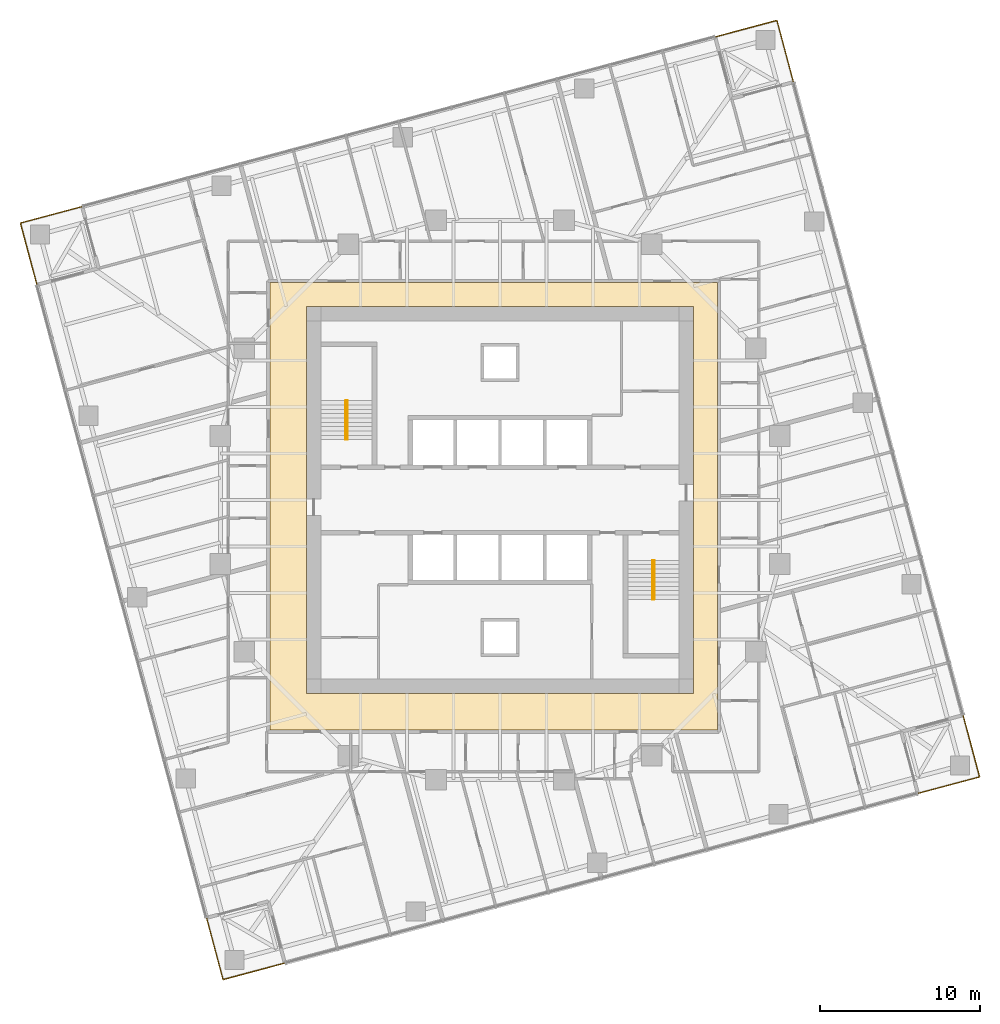
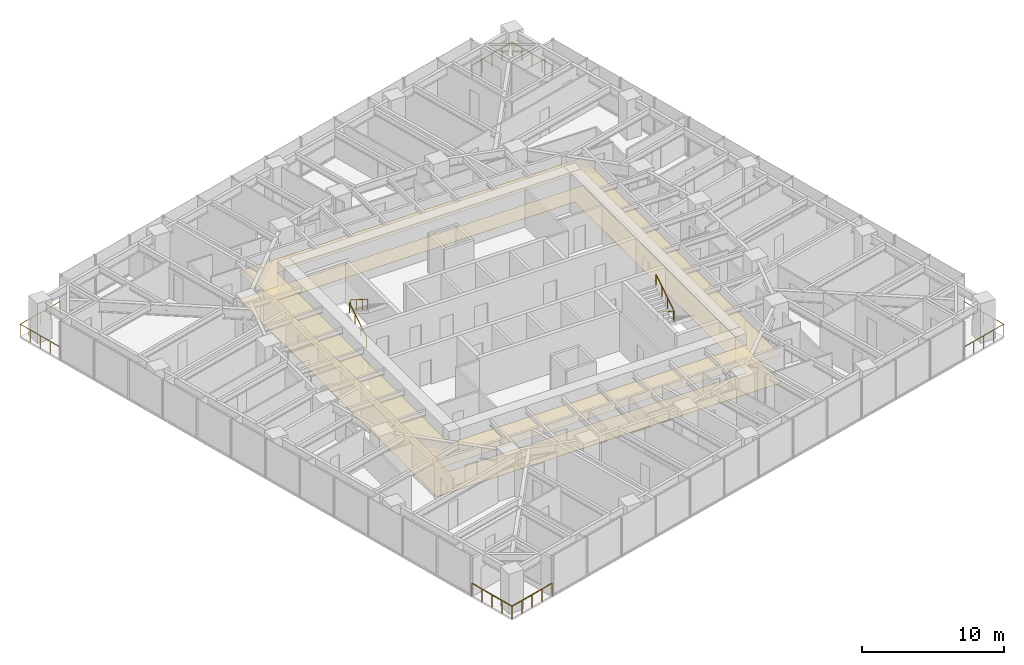
# One storey, part 14 of 14: 8 railings, 2 coverings, 2 elements without a shape of their own.
"""IFC4 building model written with IfcOpenShell, lengths in metres."""

import ifcopenshell
import ifcopenshell.guid

model = None  # the IFC model being written
_history = None  # IfcOwnerHistory: only IFC2X3 demands one
_inside = {}  # id of a spatial element -> (the spatial element, [elements in it])
_under = {}  # id of a project, library or spatial element -> (it, [spatial elements below it])
_declared = {}  # id of a project -> (the project, [libraries it declares])
_typed = {}  # id of a type object -> (the type object, [elements of that type])
_made_of = {}  # id of a material, layer set ... -> (it, [elements and type objects made of it])


def new_model(schema):
    """Start an empty IFC model of exactly this schema.

    Asked for "IFC4X3", IfcOpenShell would pick the latest addendum, in which some entities
    have other attributes; the version numbers below select the first issue.
    IFC2X3 requires an IfcOwnerHistory on every rooted entity: one is made here for all.
    """
    global model, _history
    if schema == "IFC4X3":
        model = ifcopenshell.file(schema_version=(4, 3, 0, 0))
    else:
        model = ifcopenshell.file(schema=schema)
    _inside.clear()
    _under.clear()
    _declared.clear()
    _typed.clear()
    _made_of.clear()
    _history = None
    if model.schema == "IFC2X3":
        org = make("IfcOrganization", Name="unknown")
        user = make(
            "IfcPersonAndOrganization",
            ThePerson=make("IfcPerson", FamilyName="unknown"),
            TheOrganization=org,
        )
        app = make(
            "IfcApplication",
            ApplicationDeveloper=org,
            Version="unknown",
            ApplicationFullName="unknown",
            ApplicationIdentifier="unknown",
        )
        _history = make(
            "IfcOwnerHistory",
            OwningUser=user,
            OwningApplication=app,
            ChangeAction="ADDED",
            CreationDate=0,
        )
    return model


def make(cls, **values):
    """One entity of the class cls with the attributes given. An attribute that is None is left unset."""
    return model.create_entity(
        cls, **{name: value for name, value in values.items() if value is not None}
    )


def rooted(cls, **values):
    """An entity with a GlobalId (a new one), such as an element, a storey or a relation."""
    return make(cls, GlobalId=ifcopenshell.guid.new(), OwnerHistory=_history, **values)


def si_unit(unit_type, name, prefix=None):
    """IfcSIUnit, for example si_unit("LENGTHUNIT", "METRE", prefix="MILLI")."""
    return make("IfcSIUnit", UnitType=unit_type, Prefix=prefix, Name=name)


def assignment(units):
    """IfcUnitAssignment: the units of a project."""
    return None if units is None else make("IfcUnitAssignment", Units=units)


def point(xyz):
    """IfcCartesianPoint."""
    return None if xyz is None else make("IfcCartesianPoint", Coordinates=xyz)


def direction(xyz):
    """IfcDirection."""
    return None if xyz is None else make("IfcDirection", DirectionRatios=xyz)


def frame(location, z_axis=None, x_axis=None):
    """IfcAxis2Placement3D, a coordinate frame: its origin and axes. An axis left out is left unset."""
    return make(
        "IfcAxis2Placement3D",
        Location=point(location),
        Axis=direction(z_axis),
        RefDirection=direction(x_axis),
    )


def frame_2d(location, x_axis=None):
    """IfcAxis2Placement2D, a coordinate frame in the plane: its origin and x axis."""
    return make(
        "IfcAxis2Placement2D", Location=point(location), RefDirection=direction(x_axis)
    )


def origin():
    """The frame at (0, 0, 0) with its axes left unset."""
    return frame((0.0, 0.0, 0.0))


def origin_2d():
    """The frame at (0, 0) in the plane with its x axis left unset."""
    return frame_2d((0.0, 0.0))


def place(relative_to, where):
    """IfcLocalPlacement: puts the frame where relative to a parent placement (None: the world)."""
    return make(
        "IfcLocalPlacement", PlacementRelTo=relative_to, RelativePlacement=where
    )


def context(
    kind, dimensions, precision=None, world=None, true_north=None, identifier=None
):
    """IfcGeometricRepresentationContext, for example the 3D "Model" context."""
    return make(
        "IfcGeometricRepresentationContext",
        ContextIdentifier=identifier,
        ContextType=kind,
        CoordinateSpaceDimension=dimensions,
        Precision=precision,
        WorldCoordinateSystem=world,
        TrueNorth=true_north,
    )


def subcontext(parent, identifier, kind, view, scale=None):
    """IfcGeometricRepresentationSubContext, for example "Body" below "Model"."""
    return make(
        "IfcGeometricRepresentationSubContext",
        ContextIdentifier=identifier,
        ContextType=kind,
        ParentContext=parent,
        TargetScale=scale,
        TargetView=view,
    )


def project(units=None, contexts=None):
    """IfcProject with its units and contexts."""
    return rooted(
        "IfcProject",
        Name="project",
        RepresentationContexts=contexts,
        UnitsInContext=assignment(units),
    )


def spatial(cls, under=None, at=None, **own):
    """A site, building, storey or space (cls), placed at a placement, below another one or the project."""
    s = rooted(cls, ObjectPlacement=at, **own)
    if under is not None:
        _under.setdefault(under.id(), (under, []))[1].append(s)
    return s


def polyline(points):
    """IfcPolyline through the points."""
    return make("IfcPolyline", Points=[point(p) for p in points])


def profile(cls, at=None, kind="AREA", **sizes):
    """A parametric profile (cls). Its sizes go by their IFC names, for example OverallWidth=200.0."""
    return make(cls, ProfileType=kind, Position=at, **sizes)


def circle(**sizes):
    """IfcCircleProfileDef."""
    return profile("IfcCircleProfileDef", **sizes)


def outline(outer, holes=None, kind="AREA"):
    """IfcArbitraryClosedProfileDef: a profile drawn as a closed curve; with holes, ...WithVoids."""
    if holes is None:
        return make("IfcArbitraryClosedProfileDef", ProfileType=kind, OuterCurve=outer)
    return make(
        "IfcArbitraryProfileDefWithVoids",
        ProfileType=kind,
        OuterCurve=outer,
        InnerCurves=holes,
    )


def extrude(swept, where, along, depth):
    """IfcExtrudedAreaSolid: the profile swept, set in the frame where, extruded along a direction by depth."""
    return make(
        "IfcExtrudedAreaSolid",
        SweptArea=swept,
        Position=where,
        ExtrudedDirection=direction(along),
        Depth=depth,
    )


def shape(context_of_items, identifier, shape_type, items):
    """IfcShapeRepresentation: the items that make up one representation, for example the "Body"."""
    return make(
        "IfcShapeRepresentation",
        ContextOfItems=context_of_items,
        RepresentationIdentifier=identifier,
        RepresentationType=shape_type,
        Items=items,
    )


def material(Name=None, Category=None):
    """IfcMaterial."""
    return make("IfcMaterial", Name=Name, Category=Category)


def layer(
    of_material, thickness, ventilated=None, Name=None, Category=None, Priority=None
):
    """IfcMaterialLayer: one layer of a wall or slab, of a material (None: an air gap)."""
    return make(
        "IfcMaterialLayer",
        Material=of_material,
        LayerThickness=thickness,
        IsVentilated=ventilated,
        Name=Name,
        Category=Category,
        Priority=Priority,
    )


def layer_set(layers, Name=None):
    """IfcMaterialLayerSet."""
    return make("IfcMaterialLayerSet", MaterialLayers=layers, LayerSetName=Name)


def made_of(thing, what):
    """Note that an element or type object is made of a material, layer set ...; save() writes the relation."""
    if what is not None:
        _made_of.setdefault(what.id(), (what, []))[1].append(thing)
    return thing


def type_object(cls, material=None, **own):
    """A type object (cls), such as IfcWallType, which elements share."""
    return made_of(rooted(cls, **own), material)


def element(
    cls,
    number,
    at=None,
    inside=None,
    cuts=None,
    type_object=None,
    material=None,
    context=None,
    identifier="Body",
    shape_type=None,
    held_by="IfcProductDefinitionShape",
    body=None,
    shapes=None,
    **own,
):
    """One element of the class cls, such as IfcWall. Its Tag is "e" and its number.

    at: its placement. inside: the storey or other place that contains it. cuts: it is an
    opening in that element (IfcRelVoidsElement). A single representation is given by context,
    identifier, shape_type and body (its items); several are given by shapes. held_by: the class
    of the entity that holds the representations. save() writes the other relations.
    """
    e = rooted(cls, Tag="e%d" % number, ObjectPlacement=at, **own)
    if body is not None:
        shapes = [shape(context, identifier, shape_type, body)]
    if shapes is not None:
        e.Representation = make(held_by, Representations=shapes)
    if inside is not None:
        _inside.setdefault(inside.id(), (inside, []))[1].append(e)
    if cuts is not None:
        rooted(
            "IfcRelVoidsElement", RelatingBuildingElement=cuts, RelatedOpeningElement=e
        )
    if type_object is not None:
        _typed.setdefault(type_object.id(), (type_object, []))[1].append(e)
    return made_of(e, material)


def aggregate(whole, parts):
    """IfcRelAggregates: a whole, such as a stair, and the parts it consists of."""
    return rooted("IfcRelAggregates", RelatingObject=whole, RelatedObjects=parts)


def save(model, path):
    """Write the relations noted so far, then the file.

    IfcRelAggregates (storeys below a building ...), IfcRelContainedInSpatialStructure (elements
    in a storey), IfcRelDefinesByType, IfcRelAssociatesMaterial and IfcRelDeclares: one each for
    every whole, place, type object, material and project.
    """
    for whole, parts in _under.values():
        aggregate(whole, parts)
    for where, things in _inside.values():
        rooted(
            "IfcRelContainedInSpatialStructure",
            RelatedElements=things,
            RelatingStructure=where,
        )
    for kind, things in _typed.values():
        rooted("IfcRelDefinesByType", RelatedObjects=things, RelatingType=kind)
    for what, things in _made_of.values():
        rooted("IfcRelAssociatesMaterial", RelatedObjects=things, RelatingMaterial=what)
    for by, libraries in _declared.values():
        rooted("IfcRelDeclares", RelatingContext=by, RelatedDefinitions=libraries)
    model.write(path)


model = new_model("IFC4")

# Units and contexts
model_context = context("Model", 3, precision=1e-05, world=origin(), true_north=direction((0.0, 1.0)))
body_context = subcontext(model_context, "Body", "Model", "MODEL_VIEW")
ifc_project = project(units=[si_unit("LENGTHUNIT", "METRE"), si_unit("AREAUNIT", "SQUARE_METRE"), si_unit("VOLUMEUNIT", "CUBIC_METRE"), si_unit("PLANEANGLEUNIT", "RADIAN"), si_unit("MASSUNIT", "GRAM", prefix="KILO")], contexts=[model_context])

# Site, building, storey
site_placement = place(None, origin())
site = spatial("IfcSite", under=ifc_project, at=site_placement, CompositionType="ELEMENT")
building_placement = place(site_placement, origin())
building = spatial("IfcBuilding", under=site, at=building_placement, Name="Torsade Residences", CompositionType="ELEMENT")
storey_placement = place(building_placement, frame((0.0, 0.0, 125.199951171875)))
storey = spatial("IfcBuildingStorey", under=building, at=storey_placement, Name="L34", CompositionType="ELEMENT", Elevation=125.199951171875)

# Coverings
ifc_material_1 = material(Name="Nylon carpet tile on underlay", Category="textile")
ifc_layer_1 = layer(ifc_material_1, 0.010009765625)
ifc_layer_set_1 = layer_set([ifc_layer_1], Name="Nylon carpet tile on underlay")
covering_type_1 = type_object("IfcCoveringType", Name="CORRIDOR CARPET TILE 10", PredefinedType="FLOORING", material=ifc_layer_set_1)
covering_1_placement = place(storey_placement, origin())
element("IfcCovering", 1, at=covering_1_placement, inside=storey, type_object=covering_type_1, Name="Corridor carpet L34", PredefinedType="FLOORING", context=body_context, shape_type="SweptSolid", body=[
    extrude(outline(polyline([(53.60009765625, 15.60009765625), (53.60009765625, 43.60009765625), (25.60009765625, 43.60009765625), (25.60009765625, 15.60009765625), (53.60009765625, 15.60009765625)]), holes=[polyline([(52.10009765625, 42.10009765625), (27.89990234375, 42.10009765625), (27.89990234375, 17.89990234375), (52.10009765625, 17.89990234375), (52.10009765625, 42.10009765625)])]), origin(), (0.0, 0.0, 1.0), 0.010009765625),
])
ifc_material_2 = material(Name="Plasterboard on suspended steel grid", Category="steel")
ifc_layer_2 = layer(ifc_material_2, 0.012939453125)
ifc_layer_set_2 = layer_set([ifc_layer_2], Name="Plasterboard on suspended steel grid")
covering_type_2 = type_object("IfcCoveringType", Name="CORRIDOR SUSPENDED CEILING 13", PredefinedType="CEILING", material=ifc_layer_set_2)
covering_2_placement = place(storey_placement, frame((0.0, 0.0, 2.400146484375)))
element("IfcCovering", 2, at=covering_2_placement, inside=storey, type_object=covering_type_2, Name="Corridor ceiling L34", PredefinedType="CEILING", context=body_context, shape_type="SweptSolid", body=[
    extrude(outline(polyline([(53.60009765625, 15.60009765625), (53.60009765625, 43.60009765625), (25.60009765625, 43.60009765625), (25.60009765625, 15.60009765625), (53.60009765625, 15.60009765625)]), holes=[polyline([(52.10009765625, 42.10009765625), (27.89990234375, 42.10009765625), (27.89990234375, 17.89990234375), (52.10009765625, 17.89990234375), (52.10009765625, 42.10009765625)])]), origin(), (0.0, 0.0, 1.0), 0.012939453125),
])

# Stair, railings
ifc_material_3 = material(Name="Precast concrete 40 MPa", Category="concrete")
stair_type = type_object("IfcStairType", Name="HALF-TURN FIRE STAIR 1500x3400", PredefinedType="HALF_TURN_STAIR", material=ifc_material_3)
stair_1_placement = place(storey_placement, origin())
stair_1 = element("IfcStair", 3, at=stair_1_placement, inside=storey, type_object=stair_type, Name="Stair ST1 L34", PredefinedType="HALF_TURN_STAIR")
ifc_material_4 = material(Name="Steel handrail", Category="steel")
railing_type_1 = type_object("IfcRailingType", Name="STAIR HANDRAIL 900", PredefinedType="HANDRAIL", material=ifc_material_4)
railing_1_placement = place(storey_placement, frame((30.35009765625, 33.780029296875, 0.170166015625)))
railing_1 = element("IfcRailing", 4, at=railing_1_placement, type_object=railing_type_1, Name="Handrail ST1 flight 1 L34", PredefinedType="HANDRAIL", context=body_context, shape_type="SweptSolid", body=[
    extrude(circle(Radius=0.02392578125, at=origin_2d()), frame((0.0, 0.0, 0.8759765625), z_axis=(0.0, 0.846259816676, 0.532770422113), x_axis=(-1.0, 0.0, 0.0)), (0.0, 0.0, 1.0), 2.871337890625),
    extrude(circle(Radius=0.02099609375, at=origin_2d()), origin(), (0.0, 0.0, 1.0), 0.851806640625),
    extrude(circle(Radius=0.02099609375, at=origin_2d()), frame((0.0, 0.81005859375, 0.510009765625)), (0.0, 0.0, 1.0), 0.851806640625),
    extrude(circle(Radius=0.02099609375, at=origin_2d()), frame((0.0, 1.619873046875, 1.019775390625)), (0.0, 0.0, 1.0), 0.851806640625),
    extrude(circle(Radius=0.02099609375, at=origin_2d()), frame((0.0, 2.429931640625, 1.52978515625)), (0.0, 0.0, 1.0), 0.851806640625),
])
railing_2_placement = place(storey_placement, frame((30.449951171875, 36.2099609375, 1.8701171875)))
railing_2 = element("IfcRailing", 5, at=railing_2_placement, type_object=railing_type_1, Name="Handrail ST1 flight 2 L34", PredefinedType="HANDRAIL", context=body_context, shape_type="SweptSolid", body=[
    extrude(circle(Radius=0.02392578125, at=origin_2d()), frame((0.0, 0.0, 0.8759765625), z_axis=(0.0, -0.846221481393, 0.532831309544), x_axis=(1.0, 0.0, 0.0)), (0.0, 0.0, 1.0), 2.87158203125),
    extrude(circle(Radius=0.02099609375, at=origin_2d()), origin(), (0.0, 0.0, 1.0), 0.851806640625),
    extrude(circle(Radius=0.02099609375, at=origin_2d()), frame((0.0, -0.81005859375, 0.510009765625)), (0.0, 0.0, 1.0), 0.851806640625),
    extrude(circle(Radius=0.02099609375, at=origin_2d()), frame((0.0, -1.619873046875, 1.02001953125)), (0.0, 0.0, 1.0), 0.851806640625),
    extrude(circle(Radius=0.02099609375, at=origin_2d()), frame((0.0, -2.429931640625, 1.530029296875)), (0.0, 0.0, 1.0), 0.851806640625),
])
aggregate(stair_1, [railing_1, railing_2])

stair_2_placement = place(storey_placement, origin())
stair_2 = element("IfcStair", 6, at=stair_2_placement, inside=storey, type_object=stair_type, Name="Stair ST2 L34", PredefinedType="HALF_TURN_STAIR")
railing_3_placement = place(storey_placement, frame((49.64990234375, 26.219970703125, 0.170166015625)))
railing_3 = element("IfcRailing", 7, at=railing_3_placement, type_object=railing_type_1, Name="Handrail ST2 flight 1 L34", PredefinedType="HANDRAIL", context=body_context, shape_type="SweptSolid", body=[
    extrude(circle(Radius=0.02392578125, at=origin_2d()), frame((0.0, 0.0, 0.8759765625), z_axis=(0.0, -0.846259816676, 0.532770422113), x_axis=(1.0, 0.0, 0.0)), (0.0, 0.0, 1.0), 2.871337890625),
    extrude(circle(Radius=0.02099609375, at=origin_2d()), origin(), (0.0, 0.0, 1.0), 0.851806640625),
    extrude(circle(Radius=0.02099609375, at=origin_2d()), frame((0.0, -0.81005859375, 0.510009765625)), (0.0, 0.0, 1.0), 0.851806640625),
    extrude(circle(Radius=0.02099609375, at=origin_2d()), frame((0.0, -1.619873046875, 1.019775390625)), (0.0, 0.0, 1.0), 0.851806640625),
    extrude(circle(Radius=0.02099609375, at=origin_2d()), frame((0.0, -2.429931640625, 1.52978515625)), (0.0, 0.0, 1.0), 0.851806640625),
])
railing_4_placement = place(storey_placement, frame((49.550048828125, 23.7900390625, 1.8701171875)))
railing_4 = element("IfcRailing", 8, at=railing_4_placement, type_object=railing_type_1, Name="Handrail ST2 flight 2 L34", PredefinedType="HANDRAIL", context=body_context, shape_type="SweptSolid", body=[
    extrude(circle(Radius=0.02392578125, at=origin_2d()), frame((0.0, 0.0, 0.8759765625), z_axis=(0.0, 0.846221481393, 0.532831309544), x_axis=(-1.0, 0.0, 0.0)), (0.0, 0.0, 1.0), 2.87158203125),
    extrude(circle(Radius=0.02099609375, at=origin_2d()), origin(), (0.0, 0.0, 1.0), 0.851806640625),
    extrude(circle(Radius=0.02099609375, at=origin_2d()), frame((0.0, 0.81005859375, 0.510009765625)), (0.0, 0.0, 1.0), 0.851806640625),
    extrude(circle(Radius=0.02099609375, at=origin_2d()), frame((0.0, 1.619873046875, 1.02001953125)), (0.0, 0.0, 1.0), 0.851806640625),
    extrude(circle(Radius=0.02099609375, at=origin_2d()), frame((0.0, 2.429931640625, 1.530029296875)), (0.0, 0.0, 1.0), 0.851806640625),
])
aggregate(stair_2, [railing_3, railing_4])

# Railings
ifc_material_5 = material(Name="Laminated glass balustrade", Category="glass")
railing_type_2 = type_object("IfcRailingType", Name="TERRACE GLASS BALUSTRADE 1100", PredefinedType="BALUSTRADE", material=ifc_material_5)
railing_5_placement = place(storey_placement, frame((66.142578125, 11.640625, 0.0)))
element("IfcRailing", 9, at=railing_5_placement, inside=storey, type_object=railing_type_2, Name="Terrace balustrade SE L34", PredefinedType="BALUSTRADE", context=body_context, shape_type="SweptSolid", body=[
    extrude(circle(Radius=0.02392578125, at=origin_2d()), frame((0.0, 0.0, 1.076171875), z_axis=(0.965934430412, 0.258786931944, 0.0), x_axis=(-0.258786931944, 0.965934430412, 0.0)), (0.0, 0.0, 1.0), 4.0),
    extrude(circle(Radius=0.02392578125, at=origin_2d()), frame((3.86376953125, 1.03515625, 1.076171875), z_axis=(-0.258843877716, 0.965919172068, 0.0), x_axis=(-0.965919172068, -0.258843877716, 0.0)), (0.0, 0.0, 1.0), 4.0),
    extrude(circle(Radius=0.02099609375, at=origin_2d()), origin(), (0.0, 0.0, 1.0), 1.052001953125),
    extrude(circle(Radius=0.02099609375, at=origin_2d()), frame((0.9658203125, 0.2587890625, 0.0)), (0.0, 0.0, 1.0), 1.052001953125),
    extrude(circle(Radius=0.02099609375, at=origin_2d()), frame((1.931884765625, 0.517578125, 0.0)), (0.0, 0.0, 1.0), 1.052001953125),
    extrude(circle(Radius=0.02099609375, at=origin_2d()), frame((2.89794921875, 0.7763671875, 0.0)), (0.0, 0.0, 1.0), 1.052001953125),
    extrude(circle(Radius=0.02099609375, at=origin_2d()), frame((3.86376953125, 1.03515625, 0.0)), (0.0, 0.0, 1.0), 1.052001953125),
    extrude(circle(Radius=0.02099609375, at=origin_2d()), frame((3.60498046875, 2.0009765625, 0.0)), (0.0, 0.0, 1.0), 1.052001953125),
    extrude(circle(Radius=0.02099609375, at=origin_2d()), frame((3.34619140625, 2.967041015625, 0.0)), (0.0, 0.0, 1.0), 1.052001953125),
    extrude(circle(Radius=0.02099609375, at=origin_2d()), frame((3.087158203125, 3.93310546875, 0.0)), (0.0, 0.0, 1.0), 1.052001953125),
    extrude(circle(Radius=0.02099609375, at=origin_2d()), frame((2.828369140625, 4.89892578125, 0.0)), (0.0, 0.0, 1.0), 1.052001953125),
])
railing_6_placement = place(storey_placement, frame((58.359375, 56.142578125, 0.0)))
element("IfcRailing", 10, at=railing_6_placement, inside=storey, type_object=railing_type_2, Name="Terrace balustrade NE L34", PredefinedType="BALUSTRADE", context=body_context, shape_type="SweptSolid", body=[
    extrude(circle(Radius=0.02392578125, at=origin_2d()), frame((0.0, 0.0, 1.076171875), z_axis=(-0.258786931944, 0.965934430412, 0.0), x_axis=(-0.965934430412, -0.258786931944, 0.0)), (0.0, 0.0, 1.0), 4.0),
    extrude(circle(Radius=0.02392578125, at=origin_2d()), frame((-1.03515625, 3.86376953125, 1.076171875), z_axis=(-0.965919172068, -0.258843877716, 0.0), x_axis=(0.258843877716, -0.965919172068, 0.0)), (0.0, 0.0, 1.0), 4.0),
    extrude(circle(Radius=0.02099609375, at=origin_2d()), origin(), (0.0, 0.0, 1.0), 1.052001953125),
    extrude(circle(Radius=0.02099609375, at=origin_2d()), frame((-0.2587890625, 0.9658203125, 0.0)), (0.0, 0.0, 1.0), 1.052001953125),
    extrude(circle(Radius=0.02099609375, at=origin_2d()), frame((-0.517578125, 1.931884765625, 0.0)), (0.0, 0.0, 1.0), 1.052001953125),
    extrude(circle(Radius=0.02099609375, at=origin_2d()), frame((-0.7763671875, 2.89794921875, 0.0)), (0.0, 0.0, 1.0), 1.052001953125),
    extrude(circle(Radius=0.02099609375, at=origin_2d()), frame((-1.03515625, 3.86376953125, 0.0)), (0.0, 0.0, 1.0), 1.052001953125),
    extrude(circle(Radius=0.02099609375, at=origin_2d()), frame((-2.0009765625, 3.60498046875, 0.0)), (0.0, 0.0, 1.0), 1.052001953125),
    extrude(circle(Radius=0.02099609375, at=origin_2d()), frame((-2.967041015625, 3.34619140625, 0.0)), (0.0, 0.0, 1.0), 1.052001953125),
    extrude(circle(Radius=0.02099609375, at=origin_2d()), frame((-3.93310546875, 3.087158203125, 0.0)), (0.0, 0.0, 1.0), 1.052001953125),
    extrude(circle(Radius=0.02099609375, at=origin_2d()), frame((-4.89892578125, 2.828369140625, 0.0)), (0.0, 0.0, 1.0), 1.052001953125),
])
railing_7_placement = place(storey_placement, frame((13.857421875, 48.359375, 0.0)))
element("IfcRailing", 11, at=railing_7_placement, inside=storey, type_object=railing_type_2, Name="Terrace balustrade NW L34", PredefinedType="BALUSTRADE", context=body_context, shape_type="SweptSolid", body=[
    extrude(circle(Radius=0.02392578125, at=origin_2d()), frame((0.0, 0.0, 1.076171875), z_axis=(-0.965934430412, -0.258786931944, 0.0), x_axis=(0.258786931944, -0.965934430412, 0.0)), (0.0, 0.0, 1.0), 4.0),
    extrude(circle(Radius=0.02392578125, at=origin_2d()), frame((-3.86376953125, -1.03515625, 1.076171875), z_axis=(0.258843877716, -0.965919172068, 0.0), x_axis=(0.965919172068, 0.258843877716, 0.0)), (0.0, 0.0, 1.0), 4.0),
    extrude(circle(Radius=0.02099609375, at=origin_2d()), origin(), (0.0, 0.0, 1.0), 1.052001953125),
    extrude(circle(Radius=0.02099609375, at=origin_2d()), frame((-0.9658203125, -0.2587890625, 0.0)), (0.0, 0.0, 1.0), 1.052001953125),
    extrude(circle(Radius=0.02099609375, at=origin_2d()), frame((-1.931884765625, -0.517578125, 0.0)), (0.0, 0.0, 1.0), 1.052001953125),
    extrude(circle(Radius=0.02099609375, at=origin_2d()), frame((-2.89794921875, -0.7763671875, 0.0)), (0.0, 0.0, 1.0), 1.052001953125),
    extrude(circle(Radius=0.02099609375, at=origin_2d()), frame((-3.86376953125, -1.03515625, 0.0)), (0.0, 0.0, 1.0), 1.052001953125),
    extrude(circle(Radius=0.02099609375, at=origin_2d()), frame((-3.60498046875, -2.0009765625, 0.0)), (0.0, 0.0, 1.0), 1.052001953125),
    extrude(circle(Radius=0.02099609375, at=origin_2d()), frame((-3.34619140625, -2.967041015625, 0.0)), (0.0, 0.0, 1.0), 1.052001953125),
    extrude(circle(Radius=0.02099609375, at=origin_2d()), frame((-3.087158203125, -3.93310546875, 0.0)), (0.0, 0.0, 1.0), 1.052001953125),
    extrude(circle(Radius=0.02099609375, at=origin_2d()), frame((-2.828369140625, -4.89892578125, 0.0)), (0.0, 0.0, 1.0), 1.052001953125),
])
railing_8_placement = place(storey_placement, frame((21.640625, 3.857421875, 0.0)))
element("IfcRailing", 12, at=railing_8_placement, inside=storey, type_object=railing_type_2, Name="Terrace balustrade SW L34", PredefinedType="BALUSTRADE", context=body_context, shape_type="SweptSolid", body=[
    extrude(circle(Radius=0.02392578125, at=origin_2d()), frame((0.0, 0.0, 1.076171875), z_axis=(0.258786931944, -0.965934430412, 0.0), x_axis=(0.965934430412, 0.258786931944, 0.0)), (0.0, 0.0, 1.0), 4.0),
    extrude(circle(Radius=0.02392578125, at=origin_2d()), frame((1.03515625, -3.86376953125, 1.076171875), z_axis=(0.965919172068, 0.258843877716, 0.0), x_axis=(-0.258843877716, 0.965919172068, 0.0)), (0.0, 0.0, 1.0), 4.0),
    extrude(circle(Radius=0.02099609375, at=origin_2d()), origin(), (0.0, 0.0, 1.0), 1.052001953125),
    extrude(circle(Radius=0.02099609375, at=origin_2d()), frame((0.2587890625, -0.9658203125, 0.0)), (0.0, 0.0, 1.0), 1.052001953125),
    extrude(circle(Radius=0.02099609375, at=origin_2d()), frame((0.517578125, -1.931884765625, 0.0)), (0.0, 0.0, 1.0), 1.052001953125),
    extrude(circle(Radius=0.02099609375, at=origin_2d()), frame((0.7763671875, -2.89794921875, 0.0)), (0.0, 0.0, 1.0), 1.052001953125),
    extrude(circle(Radius=0.02099609375, at=origin_2d()), frame((1.03515625, -3.86376953125, 0.0)), (0.0, 0.0, 1.0), 1.052001953125),
    extrude(circle(Radius=0.02099609375, at=origin_2d()), frame((2.0009765625, -3.60498046875, 0.0)), (0.0, 0.0, 1.0), 1.052001953125),
    extrude(circle(Radius=0.02099609375, at=origin_2d()), frame((2.967041015625, -3.34619140625, 0.0)), (0.0, 0.0, 1.0), 1.052001953125),
    extrude(circle(Radius=0.02099609375, at=origin_2d()), frame((3.93310546875, -3.087158203125, 0.0)), (0.0, 0.0, 1.0), 1.052001953125),
    extrude(circle(Radius=0.02099609375, at=origin_2d()), frame((4.89892578125, -2.828369140625, 0.0)), (0.0, 0.0, 1.0), 1.052001953125),
])

save(model, "model.ifc")
